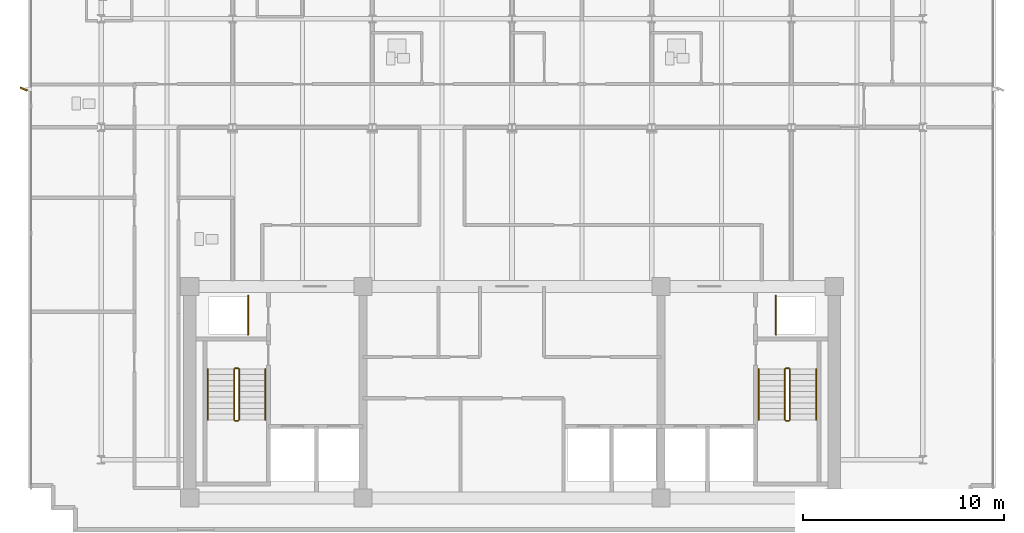
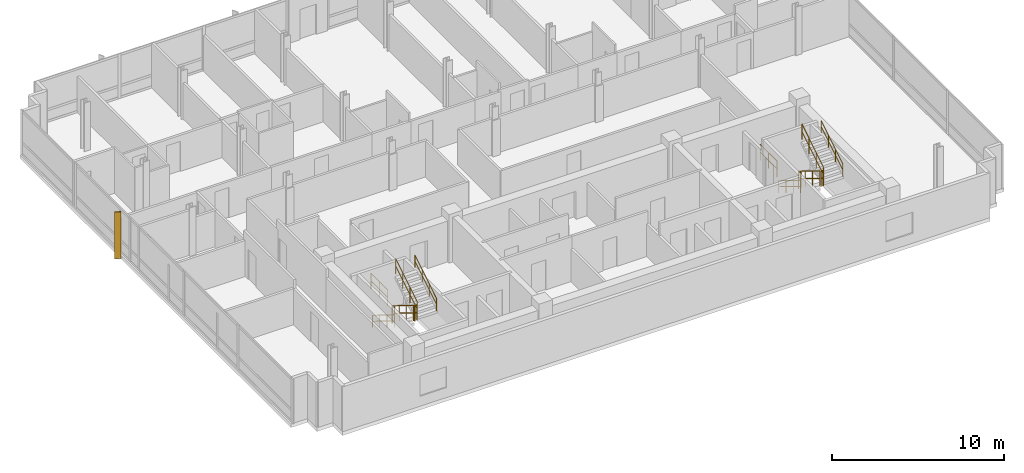
# One storey, part 12 of 14: 14 railings, 1 shading device.
"""IFC4 building model written with IfcOpenShell, lengths in metres."""

from ifc_helpers import new_model, si_unit, direction, frame, origin, origin_2d, place, context, subcontext, project, spatial, rectangle, circle, extrude, material, layer, layer_set, type_object, element, save


model = new_model("IFC4")

# Units and contexts
model_context = context("Model", 3, precision=1e-05, world=origin(), true_north=direction((0.0, 1.0)))
body_context = subcontext(model_context, "Body", "Model", "MODEL_VIEW")
ifc_project = project(units=[si_unit("LENGTHUNIT", "METRE"), si_unit("AREAUNIT", "SQUARE_METRE"), si_unit("VOLUMEUNIT", "CUBIC_METRE"), si_unit("PLANEANGLEUNIT", "RADIAN"), si_unit("MASSUNIT", "GRAM", prefix="KILO")], contexts=[model_context])

# Site, building, storey
site_placement = place(None, origin())
site = spatial("IfcSite", under=ifc_project, at=site_placement, CompositionType="ELEMENT")
building_placement = place(site_placement, origin())
building = spatial("IfcBuilding", under=site, at=building_placement, Name="Solmavex Isthmus Hotel", CompositionType="ELEMENT")
storey_placement = place(building_placement, frame((0.0, 0.0, 248.85009765625)))
storey = spatial("IfcBuildingStorey", under=building, at=storey_placement, Name="L67", CompositionType="ELEMENT", Elevation=248.85009765625)

# Railings
ifc_material_1 = material(Name="Clear low-E laminated glass", Category="glass")
ifc_layer_1 = layer(ifc_material_1, 0.080078125)
ifc_layer_set_1 = layer_set([ifc_layer_1], Name="Clear low-E laminated glass")
railing_type_1 = type_object("IfcRailingType", Name="RAIL-ATRIUM-1120", PredefinedType="BALUSTRADE", material=ifc_layer_set_1)
for number, where, name in (
    (1, (-13.10009765625, -4.89990234375, 0.0), "Guardrail Balustrade L67-RSW-01"),
    (2, (13.10009765625, -4.89990234375, 0.0), "Guardrail Balustrade L67-RSE-01"),
):
    element("IfcRailing", number, at=place(storey_placement, frame(where)), inside=storey, type_object=railing_type_1, Name=name, PredefinedType="BALUSTRADE", context=body_context, shape_type="SweptSolid", body=[
        extrude(circle(Radius=0.02392578125, at=origin_2d()), frame((0.0, 0.0, 1.1259765625), z_axis=(0.0, 1.0, 0.0), x_axis=(-1.0, 0.0, 0.0)), (0.0, 0.0, 1.0), 1.949951171875),
        extrude(circle(Radius=0.02392578125, at=origin_2d()), frame((0.0, 0.0, 0.574951171875), z_axis=(0.0, 1.0, 0.0), x_axis=(-1.0, 0.0, 0.0)), (0.0, 0.0, 1.0), 1.949951171875),
        extrude(circle(Radius=0.02099609375, at=origin_2d()), origin(), (0.0, 0.0, 1.0), 1.101806640625),
        extrude(circle(Radius=0.02099609375, at=origin_2d()), frame((0.0, 0.97509765625, 0.0)), (0.0, 0.0, 1.0), 1.101806640625),
        extrude(circle(Radius=0.02099609375, at=origin_2d()), frame((0.0, 1.949951171875, 0.0)), (0.0, 0.0, 1.0), 1.101806640625),
    ])
ifc_material_2 = material(Name="Stainless steel 316", Category="steel")
ifc_layer_2 = layer(ifc_material_2, 0.06005859375)
ifc_layer_set_2 = layer_set([ifc_layer_2], Name="Stainless steel 316")
railing_type_2 = type_object("IfcRailingType", Name="RAIL-STAIR-GD", PredefinedType="GUARDRAIL", material=ifc_layer_set_2)
railing_1_placement = place(storey_placement, frame((-13.800048828125, -6.60009765625, 0.17236328125)))
element("IfcRailing", 3, at=railing_1_placement, inside=storey, type_object=railing_type_2, Name="L67 ST-1 stair guard 1", PredefinedType="GUARDRAIL", context=body_context, shape_type="SweptSolid", body=[
    extrude(circle(Radius=0.02392578125, at=origin_2d()), frame((0.0, 0.0, 1.09619140625), z_axis=(0.0, -0.851400495292, 0.524516154772), x_axis=(1.0, 0.0, 0.0)), (0.0, 0.0, 1.0), 2.9599609375),
    extrude(circle(Radius=0.02392578125, at=origin_2d()), frame((0.0, 0.0, 0.56005859375), z_axis=(0.0, -0.851400495292, 0.524516154772), x_axis=(1.0, 0.0, 0.0)), (0.0, 0.0, 1.0), 2.9599609375),
    extrude(circle(Radius=0.02099609375, at=origin_2d()), origin(), (0.0, 0.0, 1.0), 1.072021484375),
    extrude(circle(Radius=0.02099609375, at=origin_2d()), frame((0.0, -0.840087890625, 0.517578125)), (0.0, 0.0, 1.0), 1.072021484375),
    extrude(circle(Radius=0.02099609375, at=origin_2d()), frame((0.0, -1.679931640625, 1.034912109375)), (0.0, 0.0, 1.0), 1.072021484375),
    extrude(circle(Radius=0.02099609375, at=origin_2d()), frame((0.0, -2.52001953125, 1.552490234375)), (0.0, 0.0, 1.0), 1.072021484375),
])
railing_2_placement = place(storey_placement, frame((-13.75, -9.169921875, 1.724853515625)))
element("IfcRailing", 4, at=railing_2_placement, inside=storey, type_object=railing_type_2, Name="L67 ST-1 stair guard 2", PredefinedType="GUARDRAIL", context=body_context, shape_type="SweptSolid", body=[
    extrude(circle(Radius=0.02392578125, at=origin_2d()), frame((0.0, 0.0, 1.09619140625), z_axis=(1.0, 0.0, 0.0), x_axis=(0.0, 1.0, 0.0)), (0.0, 0.0, 1.0), 0.14990234375),
    extrude(circle(Radius=0.02392578125, at=origin_2d()), frame((0.0, 0.0, 0.56005859375), z_axis=(1.0, 0.0, 0.0), x_axis=(0.0, 1.0, 0.0)), (0.0, 0.0, 1.0), 0.14990234375),
    extrude(circle(Radius=0.02099609375, at=origin_2d()), origin(), (0.0, 0.0, 1.0), 1.072021484375),
    extrude(circle(Radius=0.02099609375, at=origin_2d()), frame((0.14990234375, 0.0, 0.0)), (0.0, 0.0, 1.0), 1.072021484375),
])
railing_3_placement = place(storey_placement, frame((-13.550048828125, -9.1201171875, 1.8974609375)))
element("IfcRailing", 5, at=railing_3_placement, inside=storey, type_object=railing_type_2, Name="L67 ST-1 stair guard 3", PredefinedType="GUARDRAIL", context=body_context, shape_type="SweptSolid", body=[
    extrude(circle(Radius=0.02392578125, at=origin_2d()), frame((0.0, 0.0, 1.09619140625), z_axis=(0.0, 0.851400495292, 0.524516154772), x_axis=(-1.0, 0.0, 0.0)), (0.0, 0.0, 1.0), 2.9599609375),
    extrude(circle(Radius=0.02392578125, at=origin_2d()), frame((0.0, 0.0, 0.56005859375), z_axis=(0.0, 0.851400495292, 0.524516154772), x_axis=(-1.0, 0.0, 0.0)), (0.0, 0.0, 1.0), 2.9599609375),
    extrude(circle(Radius=0.02099609375, at=origin_2d()), origin(), (0.0, 0.0, 1.0), 1.072021484375),
    extrude(circle(Radius=0.02099609375, at=origin_2d()), frame((0.0, 0.840087890625, 0.517578125)), (0.0, 0.0, 1.0), 1.072021484375),
    extrude(circle(Radius=0.02099609375, at=origin_2d()), frame((0.0, 1.679931640625, 1.034912109375)), (0.0, 0.0, 1.0), 1.072021484375),
    extrude(circle(Radius=0.02099609375, at=origin_2d()), frame((0.0, 2.52001953125, 1.552490234375)), (0.0, 0.0, 1.0), 1.072021484375),
])
railing_4_placement = place(storey_placement, frame((-13.75, -6.550048828125, 0.0)))
element("IfcRailing", 6, at=railing_4_placement, inside=storey, type_object=railing_type_2, Name="L67 ST-1 stair guard 4", PredefinedType="GUARDRAIL", context=body_context, shape_type="SweptSolid", body=[
    extrude(circle(Radius=0.02392578125, at=origin_2d()), frame((0.0, 0.0, 1.09619140625), z_axis=(1.0, 0.0, 0.0), x_axis=(0.0, 1.0, 0.0)), (0.0, 0.0, 1.0), 0.14990234375),
    extrude(circle(Radius=0.02392578125, at=origin_2d()), frame((0.0, 0.0, 0.56005859375), z_axis=(1.0, 0.0, 0.0), x_axis=(0.0, 1.0, 0.0)), (0.0, 0.0, 1.0), 0.14990234375),
    extrude(circle(Radius=0.02099609375, at=origin_2d()), origin(), (0.0, 0.0, 1.0), 1.072021484375),
    extrude(circle(Radius=0.02099609375, at=origin_2d()), frame((0.14990234375, 0.0, 0.0)), (0.0, 0.0, 1.0), 1.072021484375),
])
railing_5_placement = place(storey_placement, frame((13.550048828125, -6.60009765625, 0.17236328125)))
element("IfcRailing", 7, at=railing_5_placement, inside=storey, type_object=railing_type_2, Name="L67 ST-2 stair guard 1", PredefinedType="GUARDRAIL", context=body_context, shape_type="SweptSolid", body=[
    extrude(circle(Radius=0.02392578125, at=origin_2d()), frame((0.0, 0.0, 1.09619140625), z_axis=(0.0, -0.851400495292, 0.524516154772), x_axis=(1.0, 0.0, 0.0)), (0.0, 0.0, 1.0), 2.9599609375),
    extrude(circle(Radius=0.02392578125, at=origin_2d()), frame((0.0, 0.0, 0.56005859375), z_axis=(0.0, -0.851400495292, 0.524516154772), x_axis=(1.0, 0.0, 0.0)), (0.0, 0.0, 1.0), 2.9599609375),
    extrude(circle(Radius=0.02099609375, at=origin_2d()), origin(), (0.0, 0.0, 1.0), 1.072021484375),
    extrude(circle(Radius=0.02099609375, at=origin_2d()), frame((0.0, -0.840087890625, 0.517578125)), (0.0, 0.0, 1.0), 1.072021484375),
    extrude(circle(Radius=0.02099609375, at=origin_2d()), frame((0.0, -1.679931640625, 1.034912109375)), (0.0, 0.0, 1.0), 1.072021484375),
    extrude(circle(Radius=0.02099609375, at=origin_2d()), frame((0.0, -2.52001953125, 1.552490234375)), (0.0, 0.0, 1.0), 1.072021484375),
])
railing_6_placement = place(storey_placement, frame((13.60009765625, -9.169921875, 1.724853515625)))
element("IfcRailing", 8, at=railing_6_placement, inside=storey, type_object=railing_type_2, Name="L67 ST-2 stair guard 2", PredefinedType="GUARDRAIL", context=body_context, shape_type="SweptSolid", body=[
    extrude(circle(Radius=0.02392578125, at=origin_2d()), frame((0.0, 0.0, 1.09619140625), z_axis=(1.0, 0.0, 0.0), x_axis=(0.0, 1.0, 0.0)), (0.0, 0.0, 1.0), 0.14990234375),
    extrude(circle(Radius=0.02392578125, at=origin_2d()), frame((0.0, 0.0, 0.56005859375), z_axis=(1.0, 0.0, 0.0), x_axis=(0.0, 1.0, 0.0)), (0.0, 0.0, 1.0), 0.14990234375),
    extrude(circle(Radius=0.02099609375, at=origin_2d()), origin(), (0.0, 0.0, 1.0), 1.072021484375),
    extrude(circle(Radius=0.02099609375, at=origin_2d()), frame((0.14990234375, 0.0, 0.0)), (0.0, 0.0, 1.0), 1.072021484375),
])
railing_7_placement = place(storey_placement, frame((13.800048828125, -9.1201171875, 1.8974609375)))
element("IfcRailing", 9, at=railing_7_placement, inside=storey, type_object=railing_type_2, Name="L67 ST-2 stair guard 3", PredefinedType="GUARDRAIL", context=body_context, shape_type="SweptSolid", body=[
    extrude(circle(Radius=0.02392578125, at=origin_2d()), frame((0.0, 0.0, 1.09619140625), z_axis=(0.0, 0.851400495292, 0.524516154772), x_axis=(-1.0, 0.0, 0.0)), (0.0, 0.0, 1.0), 2.9599609375),
    extrude(circle(Radius=0.02392578125, at=origin_2d()), frame((0.0, 0.0, 0.56005859375), z_axis=(0.0, 0.851400495292, 0.524516154772), x_axis=(-1.0, 0.0, 0.0)), (0.0, 0.0, 1.0), 2.9599609375),
    extrude(circle(Radius=0.02099609375, at=origin_2d()), origin(), (0.0, 0.0, 1.0), 1.072021484375),
    extrude(circle(Radius=0.02099609375, at=origin_2d()), frame((0.0, 0.840087890625, 0.517578125)), (0.0, 0.0, 1.0), 1.072021484375),
    extrude(circle(Radius=0.02099609375, at=origin_2d()), frame((0.0, 1.679931640625, 1.034912109375)), (0.0, 0.0, 1.0), 1.072021484375),
    extrude(circle(Radius=0.02099609375, at=origin_2d()), frame((0.0, 2.52001953125, 1.552490234375)), (0.0, 0.0, 1.0), 1.072021484375),
])
railing_8_placement = place(storey_placement, frame((13.60009765625, -6.550048828125, 0.0)))
element("IfcRailing", 10, at=railing_8_placement, inside=storey, type_object=railing_type_2, Name="L67 ST-2 stair guard 4", PredefinedType="GUARDRAIL", context=body_context, shape_type="SweptSolid", body=[
    extrude(circle(Radius=0.02392578125, at=origin_2d()), frame((0.0, 0.0, 1.09619140625), z_axis=(1.0, 0.0, 0.0), x_axis=(0.0, 1.0, 0.0)), (0.0, 0.0, 1.0), 0.14990234375),
    extrude(circle(Radius=0.02392578125, at=origin_2d()), frame((0.0, 0.0, 0.56005859375), z_axis=(1.0, 0.0, 0.0), x_axis=(0.0, 1.0, 0.0)), (0.0, 0.0, 1.0), 0.14990234375),
    extrude(circle(Radius=0.02099609375, at=origin_2d()), origin(), (0.0, 0.0, 1.0), 1.072021484375),
    extrude(circle(Radius=0.02099609375, at=origin_2d()), frame((0.14990234375, 0.0, 0.0)), (0.0, 0.0, 1.0), 1.072021484375),
])
ifc_layer_3 = layer(ifc_material_2, 0.050048828125)
ifc_layer_set_3 = layer_set([ifc_layer_3], Name="Stainless steel 316")
railing_type_3 = type_object("IfcRailingType", Name="RAIL-STAIR-HR", PredefinedType="HANDRAIL", material=ifc_layer_set_3)
railing_9_placement = place(storey_placement, frame((-15.10009765625, -6.60009765625, 0.17236328125)))
element("IfcRailing", 11, at=railing_9_placement, inside=storey, type_object=railing_type_3, Name="L67 ST-1 stair handrail 1", PredefinedType="HANDRAIL", context=body_context, shape_type="SweptSolid", body=[
    extrude(circle(Radius=0.02392578125, at=origin_2d()), frame((0.0, 0.0, 0.8759765625), z_axis=(0.0, -0.851400495292, 0.524516154772), x_axis=(1.0, 0.0, 0.0)), (0.0, 0.0, 1.0), 2.9599609375),
    extrude(circle(Radius=0.02392578125, at=origin_2d()), frame((0.0, 0.0, 0.449951171875), z_axis=(0.0, -0.851400495292, 0.524516154772), x_axis=(1.0, 0.0, 0.0)), (0.0, 0.0, 1.0), 2.9599609375),
    extrude(circle(Radius=0.02099609375, at=origin_2d()), origin(), (0.0, 0.0, 1.0), 0.851806640625),
    extrude(circle(Radius=0.02099609375, at=origin_2d()), frame((0.0, -0.840087890625, 0.517578125)), (0.0, 0.0, 1.0), 0.851806640625),
    extrude(circle(Radius=0.02099609375, at=origin_2d()), frame((0.0, -1.679931640625, 1.034912109375)), (0.0, 0.0, 1.0), 0.851806640625),
    extrude(circle(Radius=0.02099609375, at=origin_2d()), frame((0.0, -2.52001953125, 1.552490234375)), (0.0, 0.0, 1.0), 0.851806640625),
])
railing_10_placement = place(storey_placement, frame((-12.25, -9.1201171875, 1.8974609375)))
element("IfcRailing", 12, at=railing_10_placement, inside=storey, type_object=railing_type_3, Name="L67 ST-1 stair handrail 2", PredefinedType="HANDRAIL", context=body_context, shape_type="SweptSolid", body=[
    extrude(circle(Radius=0.02392578125, at=origin_2d()), frame((0.0, 0.0, 0.8759765625), z_axis=(0.0, 0.851400495292, 0.524516154772), x_axis=(-1.0, 0.0, 0.0)), (0.0, 0.0, 1.0), 2.9599609375),
    extrude(circle(Radius=0.02392578125, at=origin_2d()), frame((0.0, 0.0, 0.449951171875), z_axis=(0.0, 0.851400495292, 0.524516154772), x_axis=(-1.0, 0.0, 0.0)), (0.0, 0.0, 1.0), 2.9599609375),
    extrude(circle(Radius=0.02099609375, at=origin_2d()), origin(), (0.0, 0.0, 1.0), 0.851806640625),
    extrude(circle(Radius=0.02099609375, at=origin_2d()), frame((0.0, 0.840087890625, 0.517578125)), (0.0, 0.0, 1.0), 0.851806640625),
    extrude(circle(Radius=0.02099609375, at=origin_2d()), frame((0.0, 1.679931640625, 1.034912109375)), (0.0, 0.0, 1.0), 0.851806640625),
    extrude(circle(Radius=0.02099609375, at=origin_2d()), frame((0.0, 2.52001953125, 1.552490234375)), (0.0, 0.0, 1.0), 0.851806640625),
])
railing_11_placement = place(storey_placement, frame((12.25, -6.60009765625, 0.17236328125)))
element("IfcRailing", 13, at=railing_11_placement, inside=storey, type_object=railing_type_3, Name="L67 ST-2 stair handrail 1", PredefinedType="HANDRAIL", context=body_context, shape_type="SweptSolid", body=[
    extrude(circle(Radius=0.02392578125, at=origin_2d()), frame((0.0, 0.0, 0.8759765625), z_axis=(0.0, -0.851400495292, 0.524516154772), x_axis=(1.0, 0.0, 0.0)), (0.0, 0.0, 1.0), 2.9599609375),
    extrude(circle(Radius=0.02392578125, at=origin_2d()), frame((0.0, 0.0, 0.449951171875), z_axis=(0.0, -0.851400495292, 0.524516154772), x_axis=(1.0, 0.0, 0.0)), (0.0, 0.0, 1.0), 2.9599609375),
    extrude(circle(Radius=0.02099609375, at=origin_2d()), origin(), (0.0, 0.0, 1.0), 0.851806640625),
    extrude(circle(Radius=0.02099609375, at=origin_2d()), frame((0.0, -0.840087890625, 0.517578125)), (0.0, 0.0, 1.0), 0.851806640625),
    extrude(circle(Radius=0.02099609375, at=origin_2d()), frame((0.0, -1.679931640625, 1.034912109375)), (0.0, 0.0, 1.0), 0.851806640625),
    extrude(circle(Radius=0.02099609375, at=origin_2d()), frame((0.0, -2.52001953125, 1.552490234375)), (0.0, 0.0, 1.0), 0.851806640625),
])
railing_12_placement = place(storey_placement, frame((15.10009765625, -9.1201171875, 1.8974609375)))
element("IfcRailing", 14, at=railing_12_placement, inside=storey, type_object=railing_type_3, Name="L67 ST-2 stair handrail 2", PredefinedType="HANDRAIL", context=body_context, shape_type="SweptSolid", body=[
    extrude(circle(Radius=0.02392578125, at=origin_2d()), frame((0.0, 0.0, 0.8759765625), z_axis=(0.0, 0.851400495292, 0.524516154772), x_axis=(-1.0, 0.0, 0.0)), (0.0, 0.0, 1.0), 2.9599609375),
    extrude(circle(Radius=0.02392578125, at=origin_2d()), frame((0.0, 0.0, 0.449951171875), z_axis=(0.0, 0.851400495292, 0.524516154772), x_axis=(-1.0, 0.0, 0.0)), (0.0, 0.0, 1.0), 2.9599609375),
    extrude(circle(Radius=0.02099609375, at=origin_2d()), origin(), (0.0, 0.0, 1.0), 0.851806640625),
    extrude(circle(Radius=0.02099609375, at=origin_2d()), frame((0.0, 0.840087890625, 0.517578125)), (0.0, 0.0, 1.0), 0.851806640625),
    extrude(circle(Radius=0.02099609375, at=origin_2d()), frame((0.0, 1.679931640625, 1.034912109375)), (0.0, 0.0, 1.0), 0.851806640625),
    extrude(circle(Radius=0.02099609375, at=origin_2d()), frame((0.0, 2.52001953125, 1.552490234375)), (0.0, 0.0, 1.0), 0.851806640625),
])

# Shading device
ifc_material_3 = material(Name="Aluminium alloy 6063-T6", Category="aluminium")
shading_device_type = type_object("IfcShadingDeviceType", Name="SHD-FIN-CHAMP", PredefinedType="USERDEFINED", material=ifc_material_3)
shading_device_placement = place(storey_placement, frame((-24.239990234375, 7.300048828125, -0.14013671875), z_axis=(0.0, 0.0, 1.0), x_axis=(-0.913545457643, 0.406736643076, 0.0)))
element("IfcShadingDevice", 15, at=shading_device_placement, inside=storey, type_object=shading_device_type, Name="Anodised Aluminium Solar Fin L67-W1", ObjectType="SOLAR_FIN", PredefinedType="USERDEFINED", context=body_context, shape_type="SweptSolid", body=[
    extrude(rectangle(XDim=0.3798828125, YDim=0.070068359375, at=origin_2d()), origin(), (0.0, 0.0, 1.0), 3.330078125),
])

save(model, "model.ifc")
